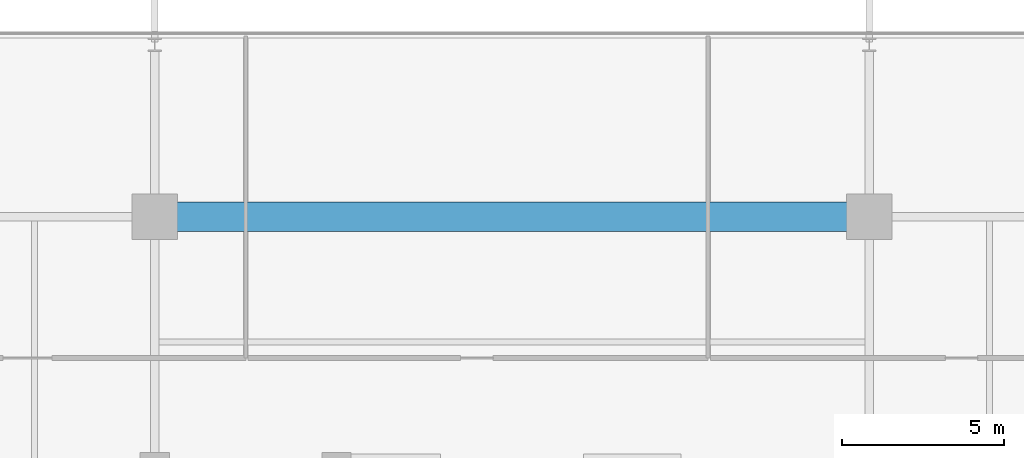
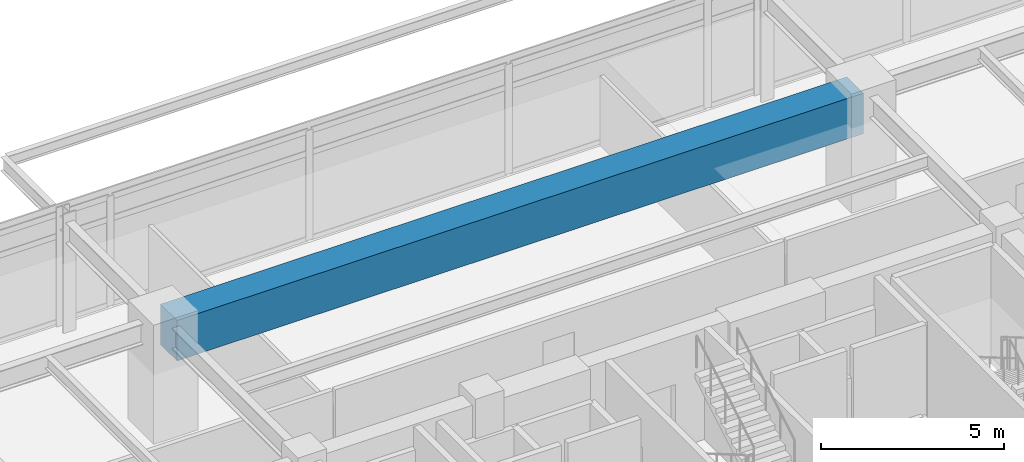
# One storey, part 8 of 22: 1 beam.
"""IFC4 building model written with IfcOpenShell, lengths in metres."""

from ifc_helpers import new_model, si_unit, direction, frame, origin, origin_2d, place, context, subcontext, project, spatial, rectangle, extrude, material, material_profile, profile_set, type_object, element, save


model = new_model("IFC4")

# Units and contexts
model_context = context("Model", 3, precision=1e-05, world=origin(), true_north=direction((0.0, 1.0)))
body_context = subcontext(model_context, "Body", "Model", "MODEL_VIEW")
ifc_project = project(units=[si_unit("LENGTHUNIT", "METRE"), si_unit("AREAUNIT", "SQUARE_METRE"), si_unit("VOLUMEUNIT", "CUBIC_METRE"), si_unit("PLANEANGLEUNIT", "RADIAN"), si_unit("MASSUNIT", "GRAM", prefix="KILO")], contexts=[model_context])

# Site, building, storey
site_placement = place(None, origin())
site = spatial("IfcSite", under=ifc_project, at=site_placement, CompositionType="ELEMENT")
building_placement = place(site_placement, origin())
building = spatial("IfcBuilding", under=site, at=building_placement, Name="Kovane Verandah Tower", CompositionType="ELEMENT")
storey_placement = place(building_placement, frame((0.0, 0.0, 229.199951171875)))
storey = spatial("IfcBuildingStorey", under=building, at=storey_placement, Name="L53", CompositionType="ELEMENT", Elevation=229.199951171875)

# Beam
ifc_material = material(Name="Concrete C80/95", Category="concrete")
ifc_material_profile = material_profile(ifc_material, rectangle(XDim=0.89990234375, YDim=1.35009765625, at=origin_2d()), Name="RCB900x1350")
ifc_profile_set = profile_set([ifc_material_profile], Name="Concrete C80/95")
beam_type = type_object("IfcBeamType", Name="BM-TR-900x1350", PredefinedType="BEAM", material=ifc_profile_set)
beam_placement = place(storey_placement, frame((29.179931640625, 44.199951171875, 3.025146484375), z_axis=(1.0, 0.0, 0.0), x_axis=(0.0, 1.0, 0.0)))
element("IfcBeam", 1, at=beam_placement, inside=storey, type_object=beam_type, Name="L53 Primary Tower Girder G-RN2", PredefinedType="BEAM", context=body_context, shape_type="SweptSolid", body=[
    extrude(rectangle(XDim=0.89990234375, YDim=1.35009765625, at=origin_2d()), origin(), (0.0, 0.0, 1.0), 21.64013671875),
])

save(model, "model.ifc")
